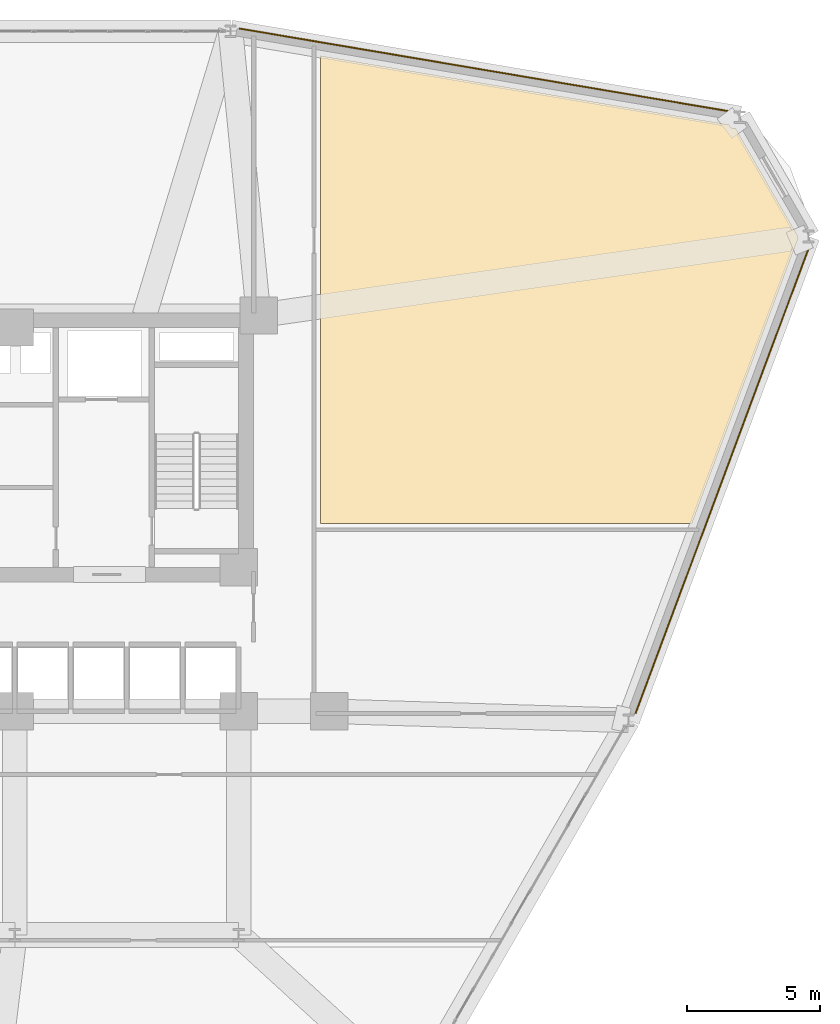
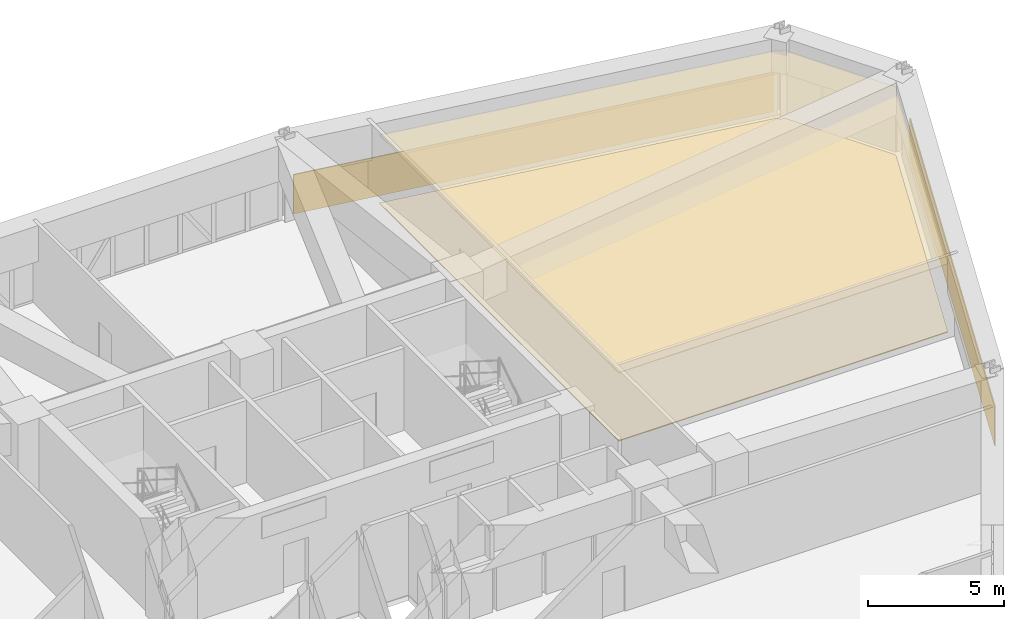
# One storey, part 20 of 20: 4 coverings.
"""IFC4 building model written with IfcOpenShell, lengths in metres."""

from ifc_helpers import new_model, si_unit, derived_unit, direction, frame, origin, place, context, subcontext, project, spatial, polyline, outline, extrude, material, layer, layer_set, type_object, element, save


model = new_model("IFC4")

# Units and contexts
model_context = context("Model", 3, precision=1e-05, world=origin(), true_north=direction((0.0, 1.0)))
body_context = subcontext(model_context, "Body", "Model", "MODEL_VIEW")
ifc_project = project(units=[si_unit("LENGTHUNIT", "METRE"), si_unit("AREAUNIT", "SQUARE_METRE"), si_unit("VOLUMEUNIT", "CUBIC_METRE"), si_unit("PLANEANGLEUNIT", "RADIAN"), si_unit("MASSUNIT", "GRAM", prefix="KILO"), derived_unit("THERMALTRANSMITTANCEUNIT", [(si_unit("POWERUNIT", "WATT"), 1), (si_unit("LENGTHUNIT", "METRE"), -2), (si_unit("THERMODYNAMICTEMPERATUREUNIT", "KELVIN"), -1)])], contexts=[model_context])

# Site, building, storey
site_placement = place(None, origin())
site = spatial("IfcSite", under=ifc_project, at=site_placement, CompositionType="ELEMENT")
building_placement = place(site_placement, origin())
building = spatial("IfcBuilding", under=site, at=building_placement, Name="Korsvarv Bourse and Concert Hall", CompositionType="ELEMENT")
storey_placement = place(building_placement, frame((0.0, 0.0, 31.800048828125)))
storey = spatial("IfcBuildingStorey", under=building, at=storey_placement, Name="L07", CompositionType="ELEMENT", Elevation=31.800048828125)

# Coverings
ifc_material_1 = material(Name="Perforated mineral-wool and birch acoustic baffle ceiling", Category="wood")
ifc_layer_1 = layer(ifc_material_1, 0.02490234375)
ifc_layer_set_1 = layer_set([ifc_layer_1], Name="Perforated mineral-wool and birch acoustic baffle ceiling")
covering_type_1 = type_object("IfcCoveringType", Name="COV-CEIL-1", PredefinedType="CEILING", material=ifc_layer_set_1)
covering_1_placement = place(storey_placement, frame((0.0, 0.0, 3.06005859375)))
element("IfcCovering", 1, at=covering_1_placement, inside=storey, type_object=covering_type_1, Name="L07 acoustic baffle ceiling 1", PredefinedType="CEILING", context=body_context, shape_type="SweptSolid", body=[
    extrude(outline(polyline([(47.47998046875, 57.0009765625), (62.8095703125, 54.411376953125), (62.819091796875, 54.38134765625), (62.8369140625, 54.349609375), (62.8603515625, 54.322021484375), (62.888916015625, 54.2998046875), (62.92138671875, 54.283447265625), (62.95654296875, 54.2744140625), (63.057373046875, 54.267822265625), (65.38671875, 50.2333984375), (65.38671875, 50.11181640625), (61.4189453125, 39.449951171875), (47.47998046875, 39.449951171875), (47.47998046875, 57.0009765625)])), origin(), (0.0, 0.0, 1.0), 0.02490234375),
])
ifc_material_2 = material(Name="Warm iron-oxide extruded terracotta rainscreen tile", Category="ceramic")
ifc_layer_2 = layer(ifc_material_2, 0.044921875)
ifc_layer_set_2 = layer_set([ifc_layer_2], Name="Warm iron-oxide extruded terracotta rainscreen tile")
covering_type_2 = type_object("IfcCoveringType", Name="COV-CLD-TC", PredefinedType="CLADDING", material=ifc_layer_set_2)
covering_2_placement = place(storey_placement, origin())
element("IfcCovering", 2, at=covering_2_placement, inside=storey, type_object=covering_type_2, Name="L07 fluted terracotta cladding panel EW-L07-B02", PredefinedType="CLADDING", context=body_context, shape_type="SweptSolid", body=[
    extrude(outline(polyline([(62.933349609375, 54.872314453125), (44.416015625, 58.000244140625), (44.42333984375, 58.044677734375), (62.94091796875, 54.91650390625), (62.933349609375, 54.872314453125)])), origin(), (0.0, 0.0, 1.0), 1.760009765625),
])
covering_3_placement = place(storey_placement, origin())
element("IfcCovering", 3, at=covering_3_placement, inside=storey, type_object=covering_type_2, Name="L07 fluted terracotta cladding panel EW-L07-B12", PredefinedType="CLADDING", context=body_context, shape_type="SweptSolid", body=[
    extrude(outline(polyline([(59.27392578125, 32.323974609375), (65.797119140625, 49.85302734375), (65.83935546875, 49.83740234375), (59.316162109375, 32.308349609375), (59.27392578125, 32.323974609375)])), origin(), (0.0, 0.0, 1.0), 1.760009765625),
])
ifc_material_3 = material(Name="Calcium-sulphate raised access trading floor with Nordic oak top", Category="wood")
ifc_layer_3 = layer(ifc_material_3, 0.0400390625)
ifc_layer_set_3 = layer_set([ifc_layer_3], Name="Calcium-sulphate raised access trading floor with Nordic oak top")
covering_type_3 = type_object("IfcCoveringType", Name="COV-FLOR-1", PredefinedType="FLOORING", material=ifc_layer_set_3)
covering_4_placement = place(storey_placement, origin())
element("IfcCovering", 4, at=covering_4_placement, inside=storey, type_object=covering_type_3, Name="L07 raised access oak floor finish 1", PredefinedType="FLOORING", context=body_context, shape_type="SweptSolid", body=[
    extrude(outline(polyline([(47.47998046875, 57.0009765625), (62.8095703125, 54.411376953125), (62.819091796875, 54.38134765625), (62.8369140625, 54.349609375), (62.8603515625, 54.322021484375), (62.888916015625, 54.2998046875), (62.92138671875, 54.283447265625), (62.95654296875, 54.2744140625), (63.057373046875, 54.267822265625), (65.38671875, 50.2333984375), (65.38671875, 50.11181640625), (61.4189453125, 39.449951171875), (47.47998046875, 39.449951171875), (47.47998046875, 57.0009765625)])), origin(), (0.0, 0.0, 1.0), 0.0400390625),
])

save(model, "model.ifc")
